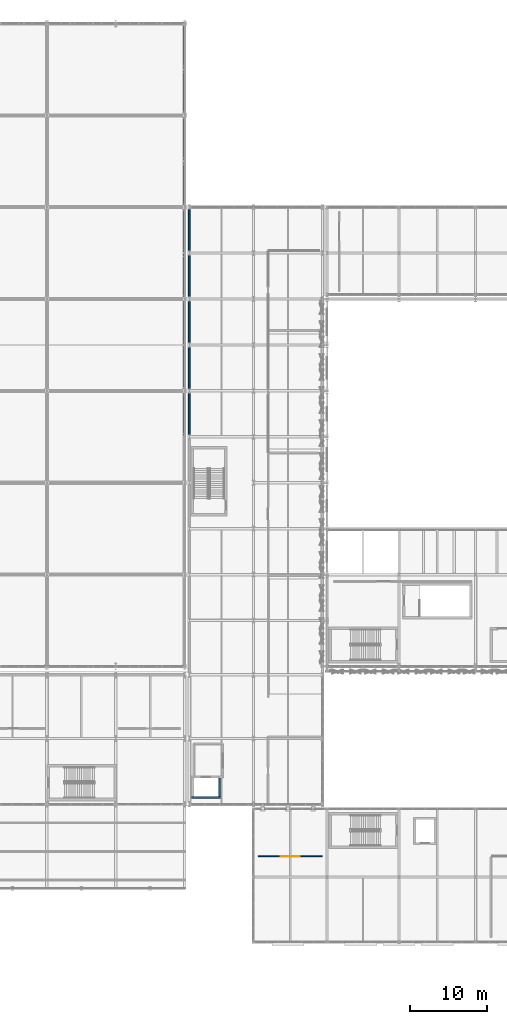
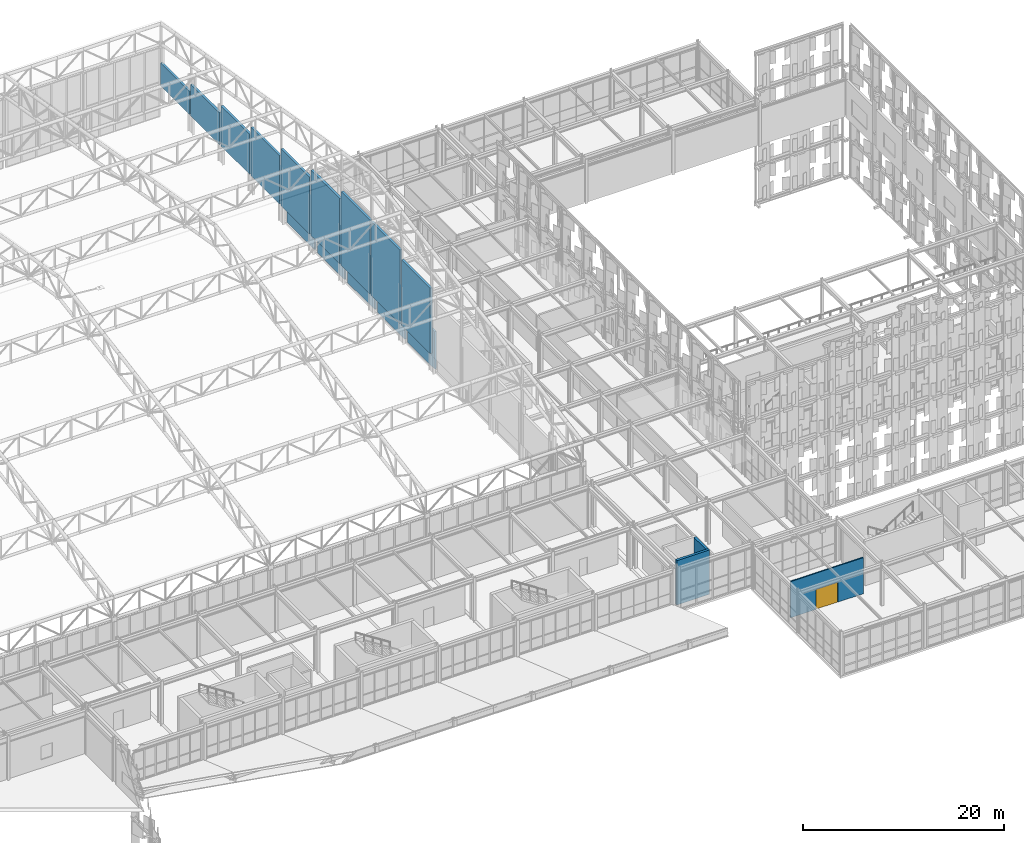
# One storey, part 203 of 239: 17 walls, 1 door, 1 opening.
"""IFC4 building model written with IfcOpenShell, lengths in metres."""

from ifc_helpers import new_model, si_unit, direction, frame, frame_2d, origin, place, context, subcontext, project, spatial, rectangle, extrude, material, layer, layer_set, type_object, element, fill, save


model = new_model("IFC4")

# Units and contexts
model_context = context("Model", 3, precision=1e-05, world=origin(), true_north=direction((0.0, 1.0)))
body_context = subcontext(model_context, "Body", "Model", "MODEL_VIEW")
ifc_project = project(units=[si_unit("LENGTHUNIT", "METRE"), si_unit("AREAUNIT", "SQUARE_METRE"), si_unit("VOLUMEUNIT", "CUBIC_METRE"), si_unit("PLANEANGLEUNIT", "RADIAN"), si_unit("MASSUNIT", "GRAM", prefix="KILO")], contexts=[model_context])

# Site, building, storey
site_placement = place(None, origin())
site = spatial("IfcSite", under=ifc_project, at=site_placement, CompositionType="ELEMENT")
building_placement = place(site_placement, origin())
building = spatial("IfcBuilding", under=site, at=building_placement, Name="Kaldris Quays Convention Centre", CompositionType="ELEMENT")
storey_placement = place(building_placement, frame((0.0, 0.0, 11.39990234375)))
storey = spatial("IfcBuildingStorey", under=building, at=storey_placement, Name="L02", CompositionType="ELEMENT", Elevation=11.39990234375)

# Walls
ifc_material_1 = material(Name="Precast concrete C40/50", Category="concrete")
ifc_layer_1 = layer(ifc_material_1, 0.263916015625)
ifc_layer_set_1 = layer_set([ifc_layer_1], Name="Precast concrete C40/50")
wall_type_1 = type_object("IfcWallType", Name="EXTERIOR WALL EW04", PredefinedType="STANDARD", material=ifc_layer_set_1)
wall_1_placement = place(storey_placement, frame((146.0, 86.139892578125, 2.195068359375), z_axis=(0.0, 0.0, 1.0), x_axis=(0.0, 1.0, 0.0)))
element("IfcWall", 1, at=wall_1_placement, inside=storey, type_object=wall_type_1, Name="L02 V1 East Gable Tympanum Wall 6", PredefinedType="STANDARD", context=body_context, shape_type="SweptSolid", body=[
    extrude(rectangle(XDim=5.72021484375, YDim=0.263916015625, at=frame_2d((2.860107421875, 0.0))), origin(), (0.0, 0.0, 1.0), 7.9619140625),
])
for number, where, z_axis, x_axis, name in (
    (2, (146.0, 92.139892578125, 2.195068359375), (0.0, 0.0, 1.0), (0.0, 1.0, 0.0), "L02 V1 East Gable Tympanum Wall 7"),
    (3, (146.0, 98.139892578125, 2.195068359375), (0.0, 0.0, 1.0), (0.0, 1.0, 0.0), "L02 V1 East Gable Tympanum Wall 8"),
):
    element("IfcWall", number, at=place(storey_placement, frame(where, z_axis=z_axis, x_axis=x_axis)), inside=storey, type_object=wall_type_1, Name=name, PredefinedType="STANDARD", context=body_context, shape_type="SweptSolid", body=[
        extrude(rectangle(XDim=5.72021484375, YDim=0.263916015625, at=frame_2d((2.860107421875, 0.0))), origin(), (0.0, 0.0, 1.0), 8.990966796875),
    ])
wall_2_placement = place(storey_placement, frame((146.0, 104.139892578125, 2.195068359375), z_axis=(0.0, 0.0, 1.0), x_axis=(0.0, 1.0, 0.0)))
element("IfcWall", 4, at=wall_2_placement, inside=storey, type_object=wall_type_1, Name="L02 V1 East Gable Tympanum Wall 9", PredefinedType="STANDARD", context=body_context, shape_type="SweptSolid", body=[
    extrude(rectangle(XDim=5.72021484375, YDim=0.263916015625, at=frame_2d((2.860107421875, 0.0))), origin(), (0.0, 0.0, 1.0), 7.9619140625),
])
wall_3_placement = place(storey_placement, frame((146.0, 110.139892578125, 2.195068359375), z_axis=(0.0, 0.0, 1.0), x_axis=(0.0, 1.0, 0.0)))
element("IfcWall", 5, at=wall_3_placement, inside=storey, type_object=wall_type_1, Name="L02 V1 East Gable Tympanum Wall 10", PredefinedType="STANDARD", context=body_context, shape_type="SweptSolid", body=[
    extrude(rectangle(XDim=5.72021484375, YDim=0.263916015625, at=frame_2d((2.860107421875, 0.0))), origin(), (0.0, 0.0, 1.0), 6.93408203125),
])
wall_4_placement = place(storey_placement, frame((146.0, 116.139892578125, 2.195068359375), z_axis=(0.0, 0.0, 1.0), x_axis=(0.0, 1.0, 0.0)))
element("IfcWall", 6, at=wall_4_placement, inside=storey, type_object=wall_type_1, Name="L02 V1 East Gable Tympanum Wall 11", PredefinedType="STANDARD", context=body_context, shape_type="SweptSolid", body=[
    extrude(rectangle(XDim=5.72021484375, YDim=0.263916015625, at=frame_2d((2.860107421875, 0.0))), origin(), (0.0, 0.0, 1.0), 5.905029296875),
])
wall_5_placement = place(storey_placement, frame((146.0, 122.139892578125, 2.195068359375), z_axis=(0.0, 0.0, 1.0), x_axis=(0.0, 1.0, 0.0)))
element("IfcWall", 7, at=wall_5_placement, inside=storey, type_object=wall_type_1, Name="L02 V1 East Gable Tympanum Wall 12", PredefinedType="STANDARD", context=body_context, shape_type="SweptSolid", body=[
    extrude(rectangle(XDim=5.72021484375, YDim=0.263916015625, at=frame_2d((2.860107421875, 0.0))), origin(), (0.0, 0.0, 1.0), 4.8759765625),
])
wall_6_placement = place(storey_placement, frame((146.0, 128.139892578125, 2.195068359375), z_axis=(0.0, 0.0, 1.0), x_axis=(0.0, 1.0, 0.0)))
element("IfcWall", 8, at=wall_6_placement, inside=storey, type_object=wall_type_1, Name="L02 V1 East Gable Tympanum Wall 13", PredefinedType="STANDARD", context=body_context, shape_type="SweptSolid", body=[
    extrude(rectangle(XDim=5.72021484375, YDim=0.263916015625, at=frame_2d((2.860107421875, 0.0))), origin(), (0.0, 0.0, 1.0), 3.84814453125),
])
wall_7_placement = place(storey_placement, frame((146.0, 134.139892578125, 2.195068359375), z_axis=(0.0, 0.0, 1.0), x_axis=(0.0, 1.0, 0.0)))
element("IfcWall", 9, at=wall_7_placement, inside=storey, type_object=wall_type_1, Name="L02 V1 East Gable Tympanum Wall 14", PredefinedType="STANDARD", context=body_context, shape_type="SweptSolid", body=[
    extrude(rectangle(XDim=5.72021484375, YDim=0.263916015625, at=frame_2d((2.860107421875, 0.0))), origin(), (0.0, 0.0, 1.0), 2.819091796875),
])
ifc_material_2 = material(Name="Anodized aluminium insulated cassette", Category="aluminium")
ifc_layer_2 = layer(ifc_material_2, 0.201904296875)
ifc_layer_set_2 = layer_set([ifc_layer_2], Name="Anodized aluminium insulated cassette")
wall_type_2 = type_object("IfcWallType", Name="EXTERIOR WALL EW07", PredefinedType="STANDARD", material=ifc_layer_set_2)
for number, where, z_axis, x_axis, name in (
    (10, (146.60009765625, 86.2958984375, 0.0), (0.0, 0.0, 1.0), (0.0, 1.0, 0.0), "L02 Exterior Wall EW07 318"),
    (11, (146.60009765625, 92.2958984375, 0.0), (0.0, 0.0, 1.0), (0.0, 1.0, 0.0), "L02 Exterior Wall EW07 320"),
    (12, (146.60009765625, 98.2958984375, 0.0), (0.0, 0.0, 1.0), (0.0, 1.0, 0.0), "L02 Exterior Wall EW07 322"),
    (13, (146.60009765625, 104.2958984375, 0.0), (0.0, 0.0, 1.0), (0.0, 1.0, 0.0), "L02 Exterior Wall EW07 323"),
    (14, (146.60009765625, 110.2958984375, 0.0), (0.0, 0.0, 1.0), (0.0, 1.0, 0.0), "L02 Exterior Wall EW07 324"),
):
    element("IfcWall", number, at=place(storey_placement, frame(where, z_axis=z_axis, x_axis=x_axis)), inside=storey, type_object=wall_type_2, Name=name, PredefinedType="STANDARD", context=body_context, shape_type="SweptSolid", body=[
        extrude(rectangle(XDim=5.408203125, YDim=0.201904296875, at=frame_2d((2.7041015625, 0.0))), origin(), (0.0, 0.0, 1.0), 4.548095703125),
    ])

# Wall, opening, door
ifc_material_3 = material(Name="Acoustic gypsum stud partition", Category="gypsum")
ifc_layer_3 = layer(ifc_material_3, 0.134033203125)
ifc_layer_set_3 = layer_set([ifc_layer_3], Name="Acoustic gypsum stud partition")
wall_type_3 = type_object("IfcWallType", Name="INTERIOR WALL IW05", PredefinedType="PARTITIONING", material=ifc_layer_set_3)
wall_8_placement = place(storey_placement, frame((155.60009765625, 31.199951171875, 0.0), z_axis=(0.0, 0.0, 1.0), x_axis=(1.0, 0.0, 0.0)))
wall_8 = element("IfcWall", 15, at=wall_8_placement, inside=storey, type_object=wall_type_3, Name="L02 Interior Wall IW05 102", PredefinedType="PARTITIONING", context=body_context, shape_type="SweptSolid", body=[
    extrude(rectangle(XDim=8.39990234375, YDim=0.134033203125, at=frame_2d((4.199951171875, 0.0))), origin(), (0.0, 0.0, 1.0), 4.400146484375),
])
opening_placement = place(wall_8_placement, frame((2.949951171875, 0.0, 0.0)))
opening = element("IfcOpeningElement", 16, at=opening_placement, cuts=wall_8, Name="Opening ID16", PredefinedType="OPENING", context=body_context, shape_type="SweptSolid", body=[
    extrude(rectangle(XDim=2.5, YDim=2.419921875, at=frame_2d((1.25, 1.2099609375))), frame((0.0, 0.0771484375, 0.0), z_axis=(0.0, -1.0, 0.0), x_axis=(1.0, 0.0, 0.0)), (0.0, 0.0, 1.0), 0.154052734375),
])
ifc_material_4 = material(Name="Grand Ballroom acoustic double door", Category="wood")
door_type = type_object("IfcDoorType", Name="INTERIOR DOOR ID16", OperationType="DOUBLE_DOOR_SINGLE_SWING", PredefinedType="DOOR", material=ifc_material_4)
door_placement = place(opening_placement, origin())
door = element("IfcDoor", 17, at=door_placement, inside=storey, type_object=door_type, Name="L02 Interior Door ID16 68", OperationType="DOUBLE_DOOR_SINGLE_SWING", OverallHeight=2.419921875, OverallWidth=2.5, PredefinedType="DOOR", context=body_context, shape_type="SweptSolid", body=[
    extrude(rectangle(XDim=2.5, YDim=2.419921875, at=frame_2d((1.25, 1.2099609375))), frame((0.0, 0.02490234375, 0.0), z_axis=(0.0, -1.0, 0.0), x_axis=(1.0, 0.0, 0.0)), (0.0, 0.0, 1.0), 0.050048828125),
])
fill(opening, door)

# Walls
ifc_material_5 = material(Name="Concrete C40/50", Category="concrete")
ifc_layer_4 = layer(ifc_material_5, 0.280029296875)
ifc_layer_set_4 = layer_set([ifc_layer_4], Name="Concrete C40/50")
wall_type_4 = type_object("IfcWallType", Name="STRUCTURAL WALL SW03", PredefinedType="SHEAR", material=ifc_layer_set_4)
wall_9_placement = place(storey_placement, frame((146.919921875, 38.860107421875, 0.0), z_axis=(0.0, 0.0, 1.0), x_axis=(1.0, 0.0, 0.0)))
element("IfcWall", 18, at=wall_9_placement, inside=storey, type_object=wall_type_4, Name="L02 Core Shear Wall LSHAFT-FL02-L02-S", PredefinedType="SHEAR", context=body_context, shape_type="SweptSolid", body=[
    extrude(rectangle(XDim=3.760009765625, YDim=0.280029296875, at=frame_2d((1.8798828125, 0.0))), origin(), (0.0, 0.0, 1.0), 5.400146484375),
])
wall_10_placement = place(storey_placement, frame((150.5400390625, 39.0, 0.0), z_axis=(0.0, 0.0, 1.0), x_axis=(0.0, 1.0, 0.0)))
element("IfcWall", 19, at=wall_10_placement, inside=storey, type_object=wall_type_4, Name="L02 Core Shear Wall LSHAFT-FL02-L02-E", PredefinedType="SHEAR", context=body_context, shape_type="SweptSolid", body=[
    extrude(rectangle(XDim=2.39990234375, YDim=0.280029296875, at=frame_2d((1.199951171875, 0.0))), origin(), (0.0, 0.0, 1.0), 5.400146484375),
])

save(model, "model.ifc")
